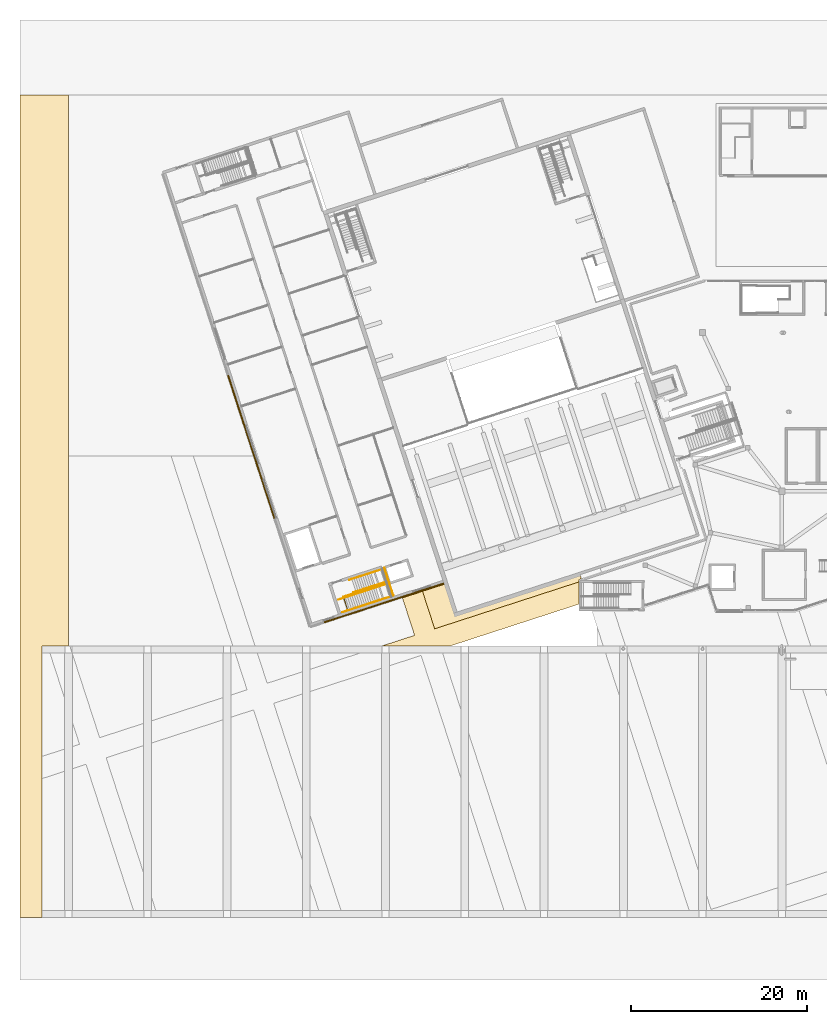
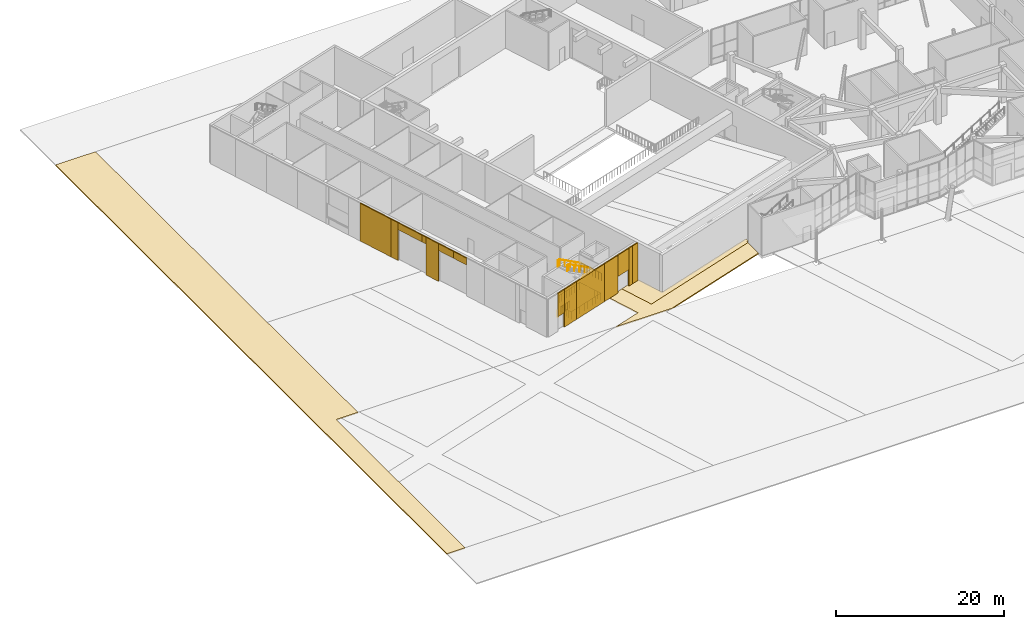
# One storey, part 62 of 72: 17 coverings, 5 railings.
"""IFC4 building model written with IfcOpenShell, lengths in metres."""

from ifc_helpers import new_model, si_unit, direction, frame, origin, origin_2d, place, context, subcontext, project, spatial, polyline, circle, outline, extrude, material, layer, layer_set, type_object, element, save


model = new_model("IFC4")

# Units and contexts
model_context = context("Model", 3, precision=1e-05, world=origin(), true_north=direction((0.0, 1.0)))
body_context = subcontext(model_context, "Body", "Model", "MODEL_VIEW")
ifc_project = project(units=[si_unit("LENGTHUNIT", "METRE"), si_unit("AREAUNIT", "SQUARE_METRE"), si_unit("VOLUMEUNIT", "CUBIC_METRE"), si_unit("PLANEANGLEUNIT", "RADIAN"), si_unit("MASSUNIT", "GRAM", prefix="KILO")], contexts=[model_context])

# Site, building, storey
site_placement = place(None, origin())
site = spatial("IfcSite", under=ifc_project, at=site_placement, CompositionType="ELEMENT")
building_placement = place(site_placement, origin())
building = spatial("IfcBuilding", under=site, at=building_placement, Name="Tuart Plaza Theatre", CompositionType="ELEMENT")
storey_placement = place(building_placement, origin())
storey = spatial("IfcBuildingStorey", under=building, at=storey_placement, Name="L00", CompositionType="ELEMENT", Elevation=0.0)

# Coverings
ifc_material_1 = material(Name="Concrete paving, power-floated cast in place", Category="concrete")
ifc_layer_1 = layer(ifc_material_1, 0.14990234375)
ifc_layer_set_1 = layer_set([ifc_layer_1], Name="COVERING-CAST-CONCRETE-PAVING150")
covering_type_1 = type_object("IfcCoveringType", Name="COVERING-CAST-CONCRETE-PAVING150", PredefinedType="FLOORING", material=ifc_layer_set_1)
covering_1_placement = place(storey_placement, frame((0.0, 0.0, -0.14990234375)))
element("IfcCovering", 1, at=covering_1_placement, inside=storey, type_object=covering_type_1, Name="D-COV-FORECOURT-CB-1-4", PredefinedType="FLOORING", context=body_context, shape_type="SweptSolid", body=[
    extrude(outline(polyline([(41.50927734375, 38.39990234375), (49.27587890625, 38.39990234375), (63.949951171875, 43.16796875), (63.949951171875, 45.69140625), (47.584228515625, 40.373779296875), (46.116455078125, 44.891357421875), (43.833984375, 44.14990234375), (45.3017578125, 39.63232421875), (41.50927734375, 38.39990234375)])), origin(), (0.0, 0.0, 1.0), 0.14990234375),
])
ifc_material_2 = material(Name="Stone paving", Category="masonry")
ifc_layer_2 = layer(ifc_material_2, 0.14990234375)
ifc_layer_set_2 = layer_set([ifc_layer_2], Name="COVERING-GRADE-PAVING150")
covering_type_2 = type_object("IfcCoveringType", Name="COVERING-GRADE-PAVING150", PredefinedType="USERDEFINED", material=ifc_layer_set_2)
covering_2_placement = place(storey_placement, frame((0.0, 0.0, -0.14990234375)))
element("IfcCovering", 2, at=covering_2_placement, inside=storey, type_object=covering_type_2, Name="D-COV-WEST-LANE", ObjectType="PAVING", PredefinedType="USERDEFINED", context=body_context, shape_type="SweptSolid", body=[
    extrude(outline(polyline([(0.5, 101.0), (0.5, 7.60009765625), (3.0, 7.60009765625), (3.0, 38.39990234375), (6.0, 38.39990234375), (6.0, 101.0), (0.5, 101.0)])), origin(), (0.0, 0.0, 1.0), 0.14990234375),
])
ifc_material_3 = material(Name="Granite paving, honed", Category="masonry")
ifc_layer_3 = layer(ifc_material_3, 0.14990234375)
ifc_layer_set_3 = layer_set([ifc_layer_3], Name="COVERING-GRANITE-PAVING150")
covering_type_3 = type_object("IfcCoveringType", Name="COVERING-GRANITE-PAVING150", PredefinedType="FLOORING", material=ifc_layer_set_3)
covering_3_placement = place(storey_placement, frame((0.0, 0.0, -0.14990234375)))
element("IfcCovering", 3, at=covering_3_placement, inside=storey, type_object=covering_type_3, Name="D-COV-FORECOURT-GR-1-3", PredefinedType="FLOORING", context=body_context, shape_type="SweptSolid", body=[
    extrude(outline(polyline([(64.24560546875, 46.05029296875), (64.091064453125, 46.52587890625), (50.0107421875, 41.951171875), (49.972900390625, 41.9580078125), (49.952392578125, 41.984619140625), (48.731689453125, 45.7412109375), (46.116455078125, 44.891357421875), (47.584228515625, 40.373779296875), (63.949951171875, 45.69140625), (63.949951171875, 45.91796875), (63.984619140625, 45.965576171875), (64.24560546875, 46.05029296875)])), origin(), (0.0, 0.0, 1.0), 0.14990234375),
])
ifc_material_4 = material(Name="Zinc")
ifc_layer_4 = layer(ifc_material_4, 0.14990234375)
ifc_layer_set_4 = layer_set([ifc_layer_4], Name="COVERING-ZINC-RAINSCREEN150")
covering_type_4 = type_object("IfcCoveringType", Name="COVERING-ZINC-RAINSCREEN150", PredefinedType="CLADDING", material=ifc_layer_set_4)
covering_4_placement = place(storey_placement, frame((0.0, 0.0, 2.10009765625)))
element("IfcCovering", 4, at=covering_4_placement, inside=storey, type_object=covering_type_4, Name="CL99", PredefinedType="CLADDING", context=body_context, shape_type="SweptSolid", body=[
    extrude(outline(polyline([(35.02001953125, 41.180908203125), (36.1611328125, 41.551513671875), (36.20751953125, 41.408935546875), (35.06640625, 41.0380859375), (35.02001953125, 41.180908203125)])), origin(), (0.0, 0.0, 1.0), 3.39990234375),
])
covering_5_placement = place(storey_placement, origin())
element("IfcCovering", 5, at=covering_5_placement, inside=storey, type_object=covering_type_4, Name="CL100", PredefinedType="CLADDING", context=body_context, shape_type="SweptSolid", body=[
    extrude(outline(polyline([(36.1611328125, 41.551513671875), (38.196533203125, 42.212890625), (38.242919921875, 42.0703125), (36.20751953125, 41.408935546875), (36.1611328125, 41.551513671875)])), origin(), (0.0, 0.0, 1.0), 5.5),
])
covering_6_placement = place(storey_placement, origin())
element("IfcCovering", 6, at=covering_6_placement, inside=storey, type_object=covering_type_4, Name="CL101", PredefinedType="CLADDING", context=body_context, shape_type="SweptSolid", body=[
    extrude(outline(polyline([(38.215576171875, 42.218994140625), (42.951904296875, 43.758056640625), (42.998046875, 43.615478515625), (38.261962890625, 42.076416015625), (38.215576171875, 42.218994140625)])), origin(), (0.0, 0.0, 1.0), 5.5),
])
covering_7_placement = place(storey_placement, origin())
element("IfcCovering", 7, at=covering_7_placement, inside=storey, type_object=covering_type_4, Name="CL102", PredefinedType="CLADDING", context=body_context, shape_type="SweptSolid", body=[
    extrude(outline(polyline([(42.970703125, 43.76416015625), (45.1962890625, 44.4873046875), (45.24267578125, 44.344482421875), (43.01708984375, 43.62158203125), (42.970703125, 43.76416015625)])), origin(), (0.0, 0.0, 1.0), 5.5),
])
covering_8_placement = place(storey_placement, frame((0.0, 0.0, 2.39990234375)))
element("IfcCovering", 8, at=covering_8_placement, inside=storey, type_object=covering_type_4, Name="CL103", PredefinedType="CLADDING", context=body_context, shape_type="SweptSolid", body=[
    extrude(outline(polyline([(45.1962890625, 44.4873046875), (47.098388671875, 45.105224609375), (47.144775390625, 44.962646484375), (45.24267578125, 44.344482421875), (45.1962890625, 44.4873046875)])), origin(), (0.0, 0.0, 1.0), 3.10009765625),
])
covering_9_placement = place(storey_placement, origin())
element("IfcCovering", 9, at=covering_9_placement, inside=storey, type_object=covering_type_4, Name="CL104", PredefinedType="CLADDING", context=body_context, shape_type="SweptSolid", body=[
    extrude(outline(polyline([(47.098388671875, 45.105224609375), (47.70703125, 45.302978515625), (47.75341796875, 45.160400390625), (47.144775390625, 44.962646484375), (47.098388671875, 45.105224609375)])), origin(), (0.0, 0.0, 1.0), 5.5),
])
covering_10_placement = place(storey_placement, origin())
element("IfcCovering", 10, at=covering_10_placement, inside=storey, type_object=covering_type_4, Name="CL105", PredefinedType="CLADDING", context=body_context, shape_type="SweptSolid", body=[
    extrude(outline(polyline([(47.72607421875, 45.309326171875), (48.59619140625, 45.592041015625), (48.642578125, 45.449462890625), (47.7724609375, 45.16650390625), (47.72607421875, 45.309326171875)])), origin(), (0.0, 0.0, 1.0), 5.5),
])
covering_11_placement = place(storey_placement, frame((0.0, 0.0, 4.5)))
element("IfcCovering", 11, at=covering_11_placement, inside=storey, type_object=covering_type_4, Name="CL111", PredefinedType="CLADDING", context=body_context, shape_type="SweptSolid", body=[
    extrude(outline(polyline([(29.32177734375, 52.893310546875), (28.67578125, 54.880859375), (28.818603515625, 54.92724609375), (29.46435546875, 52.939697265625), (29.32177734375, 52.893310546875)])), origin(), (0.0, 0.0, 1.0), 1.0),
])
covering_12_placement = place(storey_placement, frame((0.0, 0.0, 4.5)))
element("IfcCovering", 12, at=covering_12_placement, inside=storey, type_object=covering_type_4, Name="CL112", PredefinedType="CLADDING", context=body_context, shape_type="SweptSolid", body=[
    extrude(outline(polyline([(28.669677734375, 54.89990234375), (27.93115234375, 57.173095703125), (28.07373046875, 57.21923828125), (28.8125, 54.9462890625), (28.669677734375, 54.89990234375)])), origin(), (0.0, 0.0, 1.0), 1.0),
])
covering_13_placement = place(storey_placement, origin())
element("IfcCovering", 13, at=covering_13_placement, inside=storey, type_object=covering_type_4, Name="CL113", PredefinedType="CLADDING", context=body_context, shape_type="SweptSolid", body=[
    extrude(outline(polyline([(27.93115234375, 57.173095703125), (27.31298828125, 59.0751953125), (27.455810546875, 59.121337890625), (28.07373046875, 57.21923828125), (27.93115234375, 57.173095703125)])), origin(), (0.0, 0.0, 1.0), 5.5),
])
covering_14_placement = place(storey_placement, frame((0.0, 0.0, 4.5)))
element("IfcCovering", 14, at=covering_14_placement, inside=storey, type_object=covering_type_4, Name="CL114", PredefinedType="CLADDING", context=body_context, shape_type="SweptSolid", body=[
    extrude(outline(polyline([(27.31298828125, 59.0751953125), (27.130859375, 59.63623046875), (27.2734375, 59.6826171875), (27.455810546875, 59.121337890625), (27.31298828125, 59.0751953125)])), origin(), (0.0, 0.0, 1.0), 1.0),
])
covering_15_placement = place(storey_placement, frame((0.0, 0.0, 4.5)))
element("IfcCovering", 15, at=covering_15_placement, inside=storey, type_object=covering_type_4, Name="CL115", PredefinedType="CLADDING", context=body_context, shape_type="SweptSolid", body=[
    extrude(outline(polyline([(27.12451171875, 59.6552734375), (25.922607421875, 63.354736328125), (26.065185546875, 63.401123046875), (27.267333984375, 59.70166015625), (27.12451171875, 59.6552734375)])), origin(), (0.0, 0.0, 1.0), 1.0),
])
covering_16_placement = place(storey_placement, origin())
element("IfcCovering", 16, at=covering_16_placement, inside=storey, type_object=covering_type_4, Name="CL116", PredefinedType="CLADDING", context=body_context, shape_type="SweptSolid", body=[
    extrude(outline(polyline([(25.922607421875, 63.354736328125), (25.585693359375, 64.3916015625), (25.728515625, 64.437744140625), (26.065185546875, 63.401123046875), (25.922607421875, 63.354736328125)])), origin(), (0.0, 0.0, 1.0), 5.5),
])
covering_17_placement = place(storey_placement, origin())
element("IfcCovering", 17, at=covering_17_placement, inside=storey, type_object=covering_type_4, Name="CL117", PredefinedType="CLADDING", context=body_context, shape_type="SweptSolid", body=[
    extrude(outline(polyline([(25.57958984375, 64.410400390625), (24.04052734375, 69.146728515625), (24.183349609375, 69.193115234375), (25.72216796875, 64.456787109375), (25.57958984375, 64.410400390625)])), origin(), (0.0, 0.0, 1.0), 5.5),
])

# Railings
ifc_material_5 = material(Name="Steel Grade C350L0", Category="steel")
railing_type_1 = type_object("IfcRailingType", Name="RAILING Guard 1100", PredefinedType="GUARDRAIL", material=ifc_material_5)
railing_1_placement = place(storey_placement, frame((37.217041015625, 43.99755859375, 0.0)))
element("IfcRailing", 18, at=railing_1_placement, inside=storey, type_object=railing_type_1, Name="GR4", PredefinedType="GUARDRAIL", context=body_context, shape_type="SweptSolid", body=[
    extrude(circle(Radius=0.02490234375, at=origin_2d()), frame((0.0, 0.0, 1.0751953125), z_axis=(0.951027146511, 0.309107370664, 0.0), x_axis=(-0.309107370664, 0.951027146511, 0.0)), (0.0, 0.0, 1.0), 1.55517578125),
    extrude(circle(Radius=0.02001953125, at=origin_2d()), origin(), (0.0, 0.0, 1.0), 1.050048828125),
    extrude(circle(Radius=0.02001953125, at=origin_2d()), frame((0.36962890625, 0.1201171875, 0.0)), (0.0, 0.0, 1.0), 1.050048828125),
    extrude(circle(Radius=0.02001953125, at=origin_2d()), frame((0.739501953125, 0.240234375, 0.0)), (0.0, 0.0, 1.0), 1.050048828125),
    extrude(circle(Radius=0.02001953125, at=origin_2d()), frame((1.109375, 0.360595703125, 0.0)), (0.0, 0.0, 1.0), 1.050048828125),
    extrude(circle(Radius=0.02001953125, at=origin_2d()), frame((1.47900390625, 0.480712890625, 0.0)), (0.0, 0.0, 1.0), 1.050048828125),
])
railing_2_placement = place(storey_placement, frame((38.181640625, 46.077392578125, 0.0)))
element("IfcRailing", 19, at=railing_2_placement, inside=storey, type_object=railing_type_1, Name="GR5", PredefinedType="GUARDRAIL", context=body_context, shape_type="SweptSolid", body=[
    extrude(circle(Radius=0.02490234375, at=origin_2d()), frame((0.0, 0.0, 1.0751953125), z_axis=(-0.316227766017, 0.948683298051, 0.0), x_axis=(-0.948683298051, -0.316227766017, 0.0)), (0.0, 0.0, 1.0), 0.02001953125),
    extrude(circle(Radius=0.02490234375, at=origin_2d()), frame((-0.00634765625, 0.01904296875, 1.0751953125), z_axis=(0.951050377365, 0.309035887419, 0.0), x_axis=(-0.309035887419, 0.951050377365, 0.0)), (0.0, 0.0, 1.0), 3.630126953125),
    extrude(circle(Radius=0.02490234375, at=origin_2d()), frame((3.446044921875, 1.140869140625, 1.0751953125), z_axis=(-0.310120496179, 0.950697258779, 0.0), x_axis=(-0.950697258779, -0.310120496179, 0.0)), (0.0, 0.0, 1.0), 0.048095703125),
    extrude(circle(Radius=0.02490234375, at=origin_2d()), frame((3.43115234375, 1.1865234375, 1.0751953125), z_axis=(0.951570542877, 0.307430483083, 0.0), x_axis=(-0.307430483083, 0.951570542877, 0.0)), (0.0, 0.0, 1.0), 0.050048828125),
    extrude(circle(Radius=0.02490234375, at=origin_2d()), frame((3.478759765625, 1.201904296875, 1.0751953125), z_axis=(0.309019462657, -0.951055714298, 0.0), x_axis=(0.951055714298, 0.309019462657, 0.0)), (0.0, 0.0, 1.0), 3.39794921875),
    extrude(circle(Radius=0.02490234375, at=origin_2d()), frame((4.52880859375, -2.02978515625, 1.0751953125), z_axis=(-0.951064536651, -0.308992309169, 0.0), x_axis=(0.308992309169, -0.951064536651, 0.0)), (0.0, 0.0, 1.0), 5.239990234375),
    extrude(circle(Radius=0.02490234375, at=origin_2d()), frame((-0.454833984375, -3.64892578125, 1.0751953125), z_axis=(-0.308982342257, 0.951067774753, 0.0), x_axis=(-0.951067774753, -0.308982342257, 0.0)), (0.0, 0.0, 1.0), 1.64990234375),
    extrude(circle(Radius=0.02001953125, at=origin_2d()), origin(), (0.0, 0.0, 1.0), 1.050048828125),
    extrude(circle(Radius=0.02001953125, at=origin_2d()), frame((-0.00634765625, 0.01904296875, 0.0)), (0.0, 0.0, 1.0), 1.050048828125),
    extrude(circle(Radius=0.02001953125, at=origin_2d()), frame((0.42529296875, 0.1591796875, 0.0)), (0.0, 0.0, 1.0), 1.050048828125),
    extrude(circle(Radius=0.02001953125, at=origin_2d()), frame((0.856689453125, 0.299560546875, 0.0)), (0.0, 0.0, 1.0), 1.050048828125),
    extrude(circle(Radius=0.02001953125, at=origin_2d()), frame((1.288330078125, 0.439697265625, 0.0)), (0.0, 0.0, 1.0), 1.050048828125),
    extrude(circle(Radius=0.02001953125, at=origin_2d()), frame((1.7197265625, 0.580078125, 0.0)), (0.0, 0.0, 1.0), 1.050048828125),
    extrude(circle(Radius=0.02001953125, at=origin_2d()), frame((2.1513671875, 0.72021484375, 0.0)), (0.0, 0.0, 1.0), 1.050048828125),
    extrude(circle(Radius=0.02001953125, at=origin_2d()), frame((2.5830078125, 0.8603515625, 0.0)), (0.0, 0.0, 1.0), 1.050048828125),
    extrude(circle(Radius=0.02001953125, at=origin_2d()), frame((3.014404296875, 1.000732421875, 0.0)), (0.0, 0.0, 1.0), 1.050048828125),
    extrude(circle(Radius=0.02001953125, at=origin_2d()), frame((3.446044921875, 1.140869140625, 0.0)), (0.0, 0.0, 1.0), 1.050048828125),
    extrude(circle(Radius=0.02001953125, at=origin_2d()), frame((3.43115234375, 1.1865234375, 0.0)), (0.0, 0.0, 1.0), 1.050048828125),
    extrude(circle(Radius=0.02001953125, at=origin_2d()), frame((3.478759765625, 1.201904296875, 0.0)), (0.0, 0.0, 1.0), 1.050048828125),
    extrude(circle(Radius=0.02001953125, at=origin_2d()), frame((3.628662109375, 0.740234375, 0.0)), (0.0, 0.0, 1.0), 1.050048828125),
    extrude(circle(Radius=0.02001953125, at=origin_2d()), frame((3.77880859375, 0.278564453125, 0.0)), (0.0, 0.0, 1.0), 1.050048828125),
    extrude(circle(Radius=0.02001953125, at=origin_2d()), frame((3.9287109375, -0.18310546875, 0.0)), (0.0, 0.0, 1.0), 1.050048828125),
    extrude(circle(Radius=0.02001953125, at=origin_2d()), frame((4.078857421875, -0.644775390625, 0.0)), (0.0, 0.0, 1.0), 1.050048828125),
    extrude(circle(Radius=0.02001953125, at=origin_2d()), frame((4.228759765625, -1.1064453125, 0.0)), (0.0, 0.0, 1.0), 1.050048828125),
    extrude(circle(Radius=0.02001953125, at=origin_2d()), frame((4.37890625, -1.568115234375, 0.0)), (0.0, 0.0, 1.0), 1.050048828125),
    extrude(circle(Radius=0.02001953125, at=origin_2d()), frame((4.52880859375, -2.02978515625, 0.0)), (0.0, 0.0, 1.0), 1.050048828125),
    extrude(circle(Radius=0.02001953125, at=origin_2d()), frame((4.07568359375, -2.177001953125, 0.0)), (0.0, 0.0, 1.0), 1.050048828125),
    extrude(circle(Radius=0.02001953125, at=origin_2d()), frame((3.622802734375, -2.32421875, 0.0)), (0.0, 0.0, 1.0), 1.050048828125),
    extrude(circle(Radius=0.02001953125, at=origin_2d()), frame((3.169677734375, -2.471435546875, 0.0)), (0.0, 0.0, 1.0), 1.050048828125),
    extrude(circle(Radius=0.02001953125, at=origin_2d()), frame((2.716552734375, -2.61865234375, 0.0)), (0.0, 0.0, 1.0), 1.050048828125),
    extrude(circle(Radius=0.02001953125, at=origin_2d()), frame((2.263427734375, -2.765869140625, 0.0)), (0.0, 0.0, 1.0), 1.050048828125),
    extrude(circle(Radius=0.02001953125, at=origin_2d()), frame((1.810546875, -2.912841796875, 0.0)), (0.0, 0.0, 1.0), 1.050048828125),
    extrude(circle(Radius=0.02001953125, at=origin_2d()), frame((1.357421875, -3.06005859375, 0.0)), (0.0, 0.0, 1.0), 1.050048828125),
    extrude(circle(Radius=0.02001953125, at=origin_2d()), frame((0.904296875, -3.207275390625, 0.0)), (0.0, 0.0, 1.0), 1.050048828125),
    extrude(circle(Radius=0.02001953125, at=origin_2d()), frame((0.451171875, -3.3544921875, 0.0)), (0.0, 0.0, 1.0), 1.050048828125),
    extrude(circle(Radius=0.02001953125, at=origin_2d()), frame((-0.001708984375, -3.501708984375, 0.0)), (0.0, 0.0, 1.0), 1.050048828125),
    extrude(circle(Radius=0.02001953125, at=origin_2d()), frame((-0.454833984375, -3.64892578125, 0.0)), (0.0, 0.0, 1.0), 1.050048828125),
    extrude(circle(Radius=0.02001953125, at=origin_2d()), frame((-0.582275390625, -3.256591796875, 0.0)), (0.0, 0.0, 1.0), 1.050048828125),
    extrude(circle(Radius=0.02001953125, at=origin_2d()), frame((-0.709716796875, -2.8642578125, 0.0)), (0.0, 0.0, 1.0), 1.050048828125),
    extrude(circle(Radius=0.02001953125, at=origin_2d()), frame((-0.837158203125, -2.47216796875, 0.0)), (0.0, 0.0, 1.0), 1.050048828125),
    extrude(circle(Radius=0.02001953125, at=origin_2d()), frame((-0.964599609375, -2.079833984375, 0.0)), (0.0, 0.0, 1.0), 1.050048828125),
])
railing_3_placement = place(storey_placement, frame((42.888671875, 44.17919921875, 2.75)))
element("IfcRailing", 20, at=railing_3_placement, inside=storey, type_object=railing_type_1, Name="GR9", PredefinedType="GUARDRAIL", context=body_context, shape_type="SweptSolid", body=[
    extrude(circle(Radius=0.02490234375, at=origin_2d()), frame((0.0, 0.0, 1.0751953125), z_axis=(-0.309018232614, 0.951056113966, 0.0), x_axis=(-0.951056113966, -0.309018232614, 0.0)), (0.0, 0.0, 1.0), 3.255126953125),
    extrude(circle(Radius=0.02001953125, at=origin_2d()), origin(), (0.0, 0.0, 1.0), 1.050048828125),
    extrude(circle(Radius=0.02001953125, at=origin_2d()), frame((-0.143798828125, 0.442138671875, 0.0)), (0.0, 0.0, 1.0), 1.050048828125),
    extrude(circle(Radius=0.02001953125, at=origin_2d()), frame((-0.287353515625, 0.884521484375, 0.0)), (0.0, 0.0, 1.0), 1.050048828125),
    extrude(circle(Radius=0.02001953125, at=origin_2d()), frame((-0.43115234375, 1.32666015625, 0.0)), (0.0, 0.0, 1.0), 1.050048828125),
    extrude(circle(Radius=0.02001953125, at=origin_2d()), frame((-0.57470703125, 1.76904296875, 0.0)), (0.0, 0.0, 1.0), 1.050048828125),
    extrude(circle(Radius=0.02001953125, at=origin_2d()), frame((-0.718505859375, 2.211181640625, 0.0)), (0.0, 0.0, 1.0), 1.050048828125),
    extrude(circle(Radius=0.02001953125, at=origin_2d()), frame((-0.862060546875, 2.653564453125, 0.0)), (0.0, 0.0, 1.0), 1.050048828125),
    extrude(circle(Radius=0.02001953125, at=origin_2d()), frame((-1.005859375, 3.095703125, 0.0)), (0.0, 0.0, 1.0), 1.050048828125),
])
ifc_material_6 = material(Name="Steel Grade C350L0", Category="steel")
railing_type_2 = type_object("IfcRailingType", Name="RAILING Handrail 900", PredefinedType="HANDRAIL", material=ifc_material_6)
railing_4_placement = place(storey_placement, frame((36.6279296875, 43.6748046875, 0.0)))
element("IfcRailing", 21, at=railing_4_placement, inside=storey, type_object=railing_type_2, Name="HR5", PredefinedType="HANDRAIL", context=body_context, shape_type="SweptSolid", body=[
    extrude(circle(Radius=0.0224609375, at=origin_2d()), frame((0.0, 0.0, 0.87744140625), z_axis=(0.914374294295, 0.29683921701, 0.275329128821), x_axis=(-0.308773297186, 0.951135663796, 0.0)), (0.0, 0.0, 1.0), 0.624267578125),
    extrude(circle(Radius=0.0224609375, at=origin_2d()), frame((0.57080078125, 0.185302734375, 1.04931640625), z_axis=(0.793357104498, 0.257820170149, 0.551464653996), x_axis=(-0.309063423897, 0.951041429176, 0.0)), (0.0, 0.0, 1.0), 4.675048828125),
    extrude(circle(Radius=0.0224609375, at=origin_2d()), frame((4.27978515625, 1.390625, 3.62744140625), z_axis=(0.951080708969, 0.308942527062, 0.0), x_axis=(-0.308942527062, 0.951080708969, 0.0)), (0.0, 0.0, 1.0), 1.5),
    extrude(circle(Radius=0.0224609375, at=origin_2d()), frame((5.706298828125, 1.85400390625, 3.62744140625), z_axis=(-0.223492848937, 0.688867198939, 0.68957445479), x_axis=(-0.951191832008, -0.308600224758, 0.0)), (0.0, 0.0, 1.0), 0.34521484375),
    extrude(circle(Radius=0.0224609375, at=origin_2d()), frame((5.629150390625, 2.091796875, 3.865478515625), z_axis=(-0.793377707459, -0.25779549908, 0.551446546784), x_axis=(0.309029415059, -0.951052480481, 0.0)), (0.0, 0.0, 1.0), 4.55517578125),
    extrude(circle(Radius=0.0224609375, at=origin_2d()), frame((2.01513671875, 0.91748046875, 6.37744140625), z_axis=(-0.951255083436, -0.308405198137, 0.0), x_axis=(0.308405198137, -0.951255083436, 0.0)), (0.0, 0.0, 1.0), 0.300048828125),
    extrude(circle(Radius=0.01513671875, at=origin_2d()), origin(), (0.0, 0.0, 1.0), 0.85498046875),
    extrude(circle(Radius=0.01513671875, at=origin_2d()), frame((0.57080078125, 0.185302734375, 0.171875)), (0.0, 0.0, 1.0), 0.85498046875),
    extrude(circle(Radius=0.01513671875, at=origin_2d()), frame((1.498046875, 0.486572265625, 0.81640625)), (0.0, 0.0, 1.0), 0.85498046875),
    extrude(circle(Radius=0.01513671875, at=origin_2d()), frame((2.42529296875, 0.7880859375, 1.4609375)), (0.0, 0.0, 1.0), 0.85498046875),
    extrude(circle(Radius=0.01513671875, at=origin_2d()), frame((3.3525390625, 1.08935546875, 2.10546875)), (0.0, 0.0, 1.0), 0.85498046875),
    extrude(circle(Radius=0.01513671875, at=origin_2d()), frame((4.27978515625, 1.390625, 2.75)), (0.0, 0.0, 1.0), 0.85498046875),
    extrude(circle(Radius=0.01513671875, at=origin_2d()), frame((5.706298828125, 1.85400390625, 2.75)), (0.0, 0.0, 1.0), 0.85498046875),
    extrude(circle(Radius=0.01513671875, at=origin_2d()), frame((5.629150390625, 2.091796875, 2.988037109375)), (0.0, 0.0, 1.0), 0.85498046875),
    extrude(circle(Radius=0.01513671875, at=origin_2d()), frame((4.7255859375, 1.79833984375, 3.615966796875)), (0.0, 0.0, 1.0), 0.85498046875),
    extrude(circle(Radius=0.01513671875, at=origin_2d()), frame((3.822265625, 1.504638671875, 4.244140625)), (0.0, 0.0, 1.0), 0.85498046875),
    extrude(circle(Radius=0.01513671875, at=origin_2d()), frame((2.918701171875, 1.2109375, 4.8720703125)), (0.0, 0.0, 1.0), 0.85498046875),
    extrude(circle(Radius=0.01513671875, at=origin_2d()), frame((2.01513671875, 0.91748046875, 5.5)), (0.0, 0.0, 1.0), 0.85498046875),
    extrude(circle(Radius=0.01513671875, at=origin_2d()), frame((1.729736328125, 0.824951171875, 5.5)), (0.0, 0.0, 1.0), 0.85498046875),
])
railing_5_placement = place(storey_placement, frame((37.091552734375, 42.248291015625, 0.0)))
element("IfcRailing", 22, at=railing_5_placement, inside=storey, type_object=railing_type_2, Name="HR6", PredefinedType="HANDRAIL", context=body_context, shape_type="SweptSolid", body=[
    extrude(circle(Radius=0.0224609375, at=origin_2d()), frame((0.0, 0.0, 0.87744140625), z_axis=(0.914310152144, 0.296945402429, 0.275427619644), x_axis=(-0.308892816854, 0.951096855055, 0.0)), (0.0, 0.0, 1.0), 0.6240234375),
    extrude(circle(Radius=0.0224609375, at=origin_2d()), frame((0.570556640625, 0.185302734375, 1.04931640625), z_axis=(0.793387136156, 0.257760738766, 0.551449230422), x_axis=(-0.308988403611, 0.951065805522, 0.0)), (0.0, 0.0, 1.0), 4.67529296875),
    extrude(circle(Radius=0.0224609375, at=origin_2d()), frame((4.27978515625, 1.390380859375, 3.62744140625), z_axis=(0.951032872603, 0.309089752708, 0.0), x_axis=(-0.309089752708, 0.951032872603, 0.0)), (0.0, 0.0, 1.0), 1.5),
    extrude(circle(Radius=0.0224609375, at=origin_2d()), frame((5.706298828125, 1.85400390625, 3.62744140625), z_axis=(-0.308204534717, 0.948511816737, 0.073043126239), x_axis=(-0.951052283617, -0.309030020915, 0.0)), (0.0, 0.0, 1.0), 3.2587890625),
    extrude(circle(Radius=0.0224609375, at=origin_2d()), frame((4.701904296875, 4.945068359375, 3.865478515625), z_axis=(-0.793377707459, -0.25779549908, 0.551446546784), x_axis=(0.309029415059, -0.951052480481, 0.0)), (0.0, 0.0, 1.0), 4.55517578125),
    extrude(circle(Radius=0.0224609375, at=origin_2d()), frame((1.087890625, 3.770751953125, 6.37744140625), z_axis=(-0.950938293792, -0.309380609282, 0.0), x_axis=(0.309380609282, -0.950938293792, 0.0)), (0.0, 0.0, 1.0), 0.2998046875),
    extrude(circle(Radius=0.01513671875, at=origin_2d()), origin(), (0.0, 0.0, 1.0), 0.85498046875),
    extrude(circle(Radius=0.01513671875, at=origin_2d()), frame((0.570556640625, 0.185302734375, 0.171875)), (0.0, 0.0, 1.0), 0.85498046875),
    extrude(circle(Radius=0.01513671875, at=origin_2d()), frame((1.497802734375, 0.486572265625, 0.81640625)), (0.0, 0.0, 1.0), 0.85498046875),
    extrude(circle(Radius=0.01513671875, at=origin_2d()), frame((2.42529296875, 0.787841796875, 1.4609375)), (0.0, 0.0, 1.0), 0.85498046875),
    extrude(circle(Radius=0.01513671875, at=origin_2d()), frame((3.3525390625, 1.089111328125, 2.10546875)), (0.0, 0.0, 1.0), 0.85498046875),
    extrude(circle(Radius=0.01513671875, at=origin_2d()), frame((4.27978515625, 1.390380859375, 2.75)), (0.0, 0.0, 1.0), 0.85498046875),
    extrude(circle(Radius=0.01513671875, at=origin_2d()), frame((5.706298828125, 1.85400390625, 2.75)), (0.0, 0.0, 1.0), 0.85498046875),
    extrude(circle(Radius=0.01513671875, at=origin_2d()), frame((5.37158203125, 2.88427734375, 2.829345703125)), (0.0, 0.0, 1.0), 0.85498046875),
    extrude(circle(Radius=0.01513671875, at=origin_2d()), frame((5.03662109375, 3.914794921875, 2.90869140625)), (0.0, 0.0, 1.0), 0.85498046875),
    extrude(circle(Radius=0.01513671875, at=origin_2d()), frame((4.701904296875, 4.945068359375, 2.988037109375)), (0.0, 0.0, 1.0), 0.85498046875),
    extrude(circle(Radius=0.01513671875, at=origin_2d()), frame((3.79833984375, 4.6513671875, 3.615966796875)), (0.0, 0.0, 1.0), 0.85498046875),
    extrude(circle(Radius=0.01513671875, at=origin_2d()), frame((2.89501953125, 4.35791015625, 4.244140625)), (0.0, 0.0, 1.0), 0.85498046875),
    extrude(circle(Radius=0.01513671875, at=origin_2d()), frame((1.991455078125, 4.064453125, 4.8720703125)), (0.0, 0.0, 1.0), 0.85498046875),
    extrude(circle(Radius=0.01513671875, at=origin_2d()), frame((1.087890625, 3.770751953125, 5.5)), (0.0, 0.0, 1.0), 0.85498046875),
    extrude(circle(Radius=0.01513671875, at=origin_2d()), frame((0.802734375, 3.677978515625, 5.5)), (0.0, 0.0, 1.0), 0.85498046875),
])

save(model, "model.ifc")
